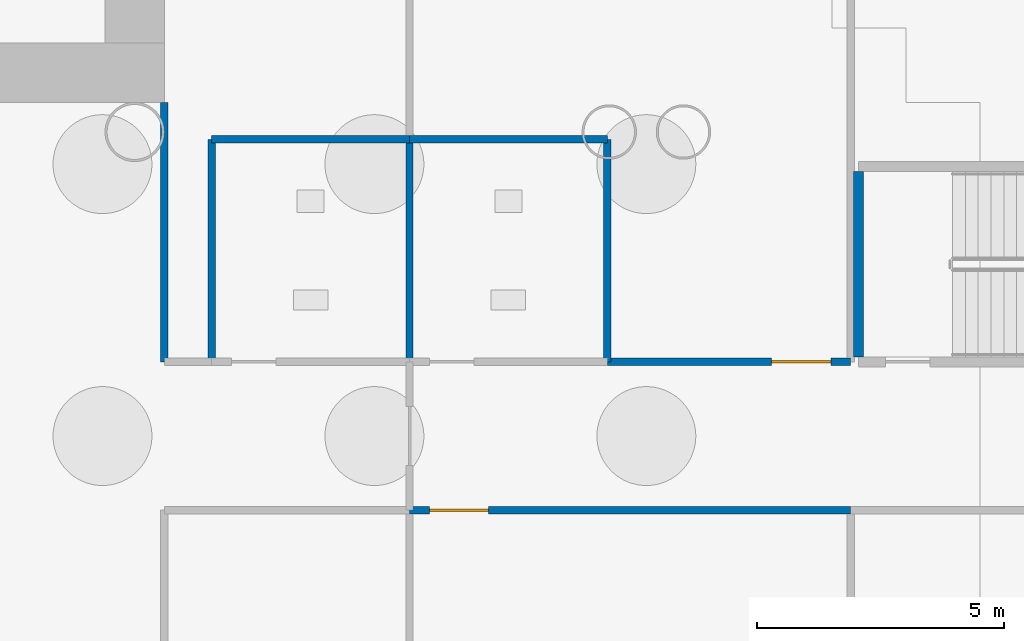
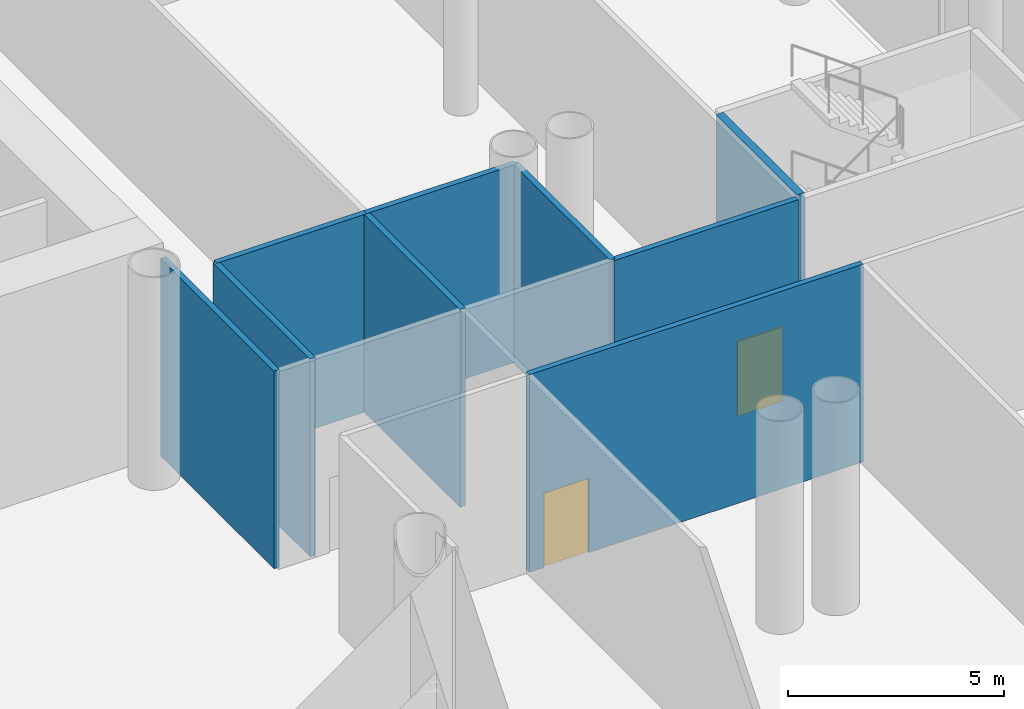
# One storey, part 33 of 75: 9 walls, 2 doors, 2 openings.
"""IFC4 building model written with IfcOpenShell, lengths in metres."""

from ifc_helpers import new_model, si_unit, direction, frame, frame_2d, origin, place, context, subcontext, project, spatial, rectangle, extrude, material, layer, layer_set, type_object, element, fill, save


model = new_model("IFC4")

# Units and contexts
model_context = context("Model", 3, precision=1e-05, world=origin(), true_north=direction((0.0, 1.0)))
body_context = subcontext(model_context, "Body", "Model", "MODEL_VIEW")
ifc_project = project(units=[si_unit("LENGTHUNIT", "METRE"), si_unit("AREAUNIT", "SQUARE_METRE"), si_unit("VOLUMEUNIT", "CUBIC_METRE"), si_unit("PLANEANGLEUNIT", "RADIAN"), si_unit("MASSUNIT", "GRAM", prefix="KILO")], contexts=[model_context])

# Site, building, storey
site_placement = place(None, origin())
site = spatial("IfcSite", under=ifc_project, at=site_placement, CompositionType="ELEMENT")
building_placement = place(site_placement, origin())
building = spatial("IfcBuilding", under=site, at=building_placement, Name="Ipe Terrace Towers", CompositionType="ELEMENT")
storey_placement = place(building_placement, origin())
storey = spatial("IfcBuildingStorey", under=building, at=storey_placement, Name="L00", CompositionType="ELEMENT", Elevation=0.0)

# Wall
ifc_material_1 = material(Name="Gypsum board partition", Category="plasterboard")
ifc_layer_1 = layer(ifc_material_1, 0.14990234375)
ifc_layer_set_1 = layer_set([ifc_layer_1], Name="Gypsum board partition 150 mm")
wall_type_1 = type_object("IfcWallType", Name="Gypsum board partition 150 mm", PredefinedType="PARTITIONING", material=ifc_layer_set_1)
wall_1_placement = place(storey_placement, frame((42.75, 1.5, 0.0), z_axis=(0.0, 0.0, 1.0), x_axis=(0.0, 1.0, 0.0)))
element("IfcWall", 1, at=wall_1_placement, inside=storey, type_object=wall_type_1, Name="Gypsum board partition T2 L00 pd-r49-w52", PredefinedType="PARTITIONING", context=body_context, shape_type="SweptSolid", body=[
    extrude(rectangle(XDim=5.25, YDim=0.14990234375, at=frame_2d((2.625, 0.0))), origin(), (0.0, 0.0, 1.0), 5.580078125),
])

# Wall, opening, door
wall_2_placement = place(storey_placement, frame((47.7099609375, -1.5, 0.0), z_axis=(0.0, 0.0, 1.0), x_axis=(1.0, 0.0, 0.0)))
wall_2 = element("IfcWall", 2, at=wall_2_placement, inside=storey, type_object=wall_type_1, Name="Gypsum board partition T2 L00 pd-r53-w64", PredefinedType="PARTITIONING", context=body_context, shape_type="SweptSolid", body=[
    extrude(rectangle(XDim=8.919921875, YDim=0.14990234375, at=frame_2d((4.4599609375, 0.0))), origin(), (0.0, 0.0, 1.0), 5.580078125),
])
opening_1_placement = place(wall_2_placement, frame((0.39990234375, 0.0, 0.0)))
opening_1 = element("IfcOpeningElement", 3, at=opening_1_placement, cuts=wall_2, Name="Opening PD-L00-r53", PredefinedType="OPENING", context=body_context, shape_type="SweptSolid", body=[
    extrude(rectangle(XDim=1.199951171875, YDim=2.10009765625, at=frame_2d((0.60009765625, 1.050048828125))), frame((0.0, 0.0849609375, 0.0), z_axis=(0.0, -1.0, 0.0), x_axis=(1.0, 0.0, 0.0)), (0.0, 0.0, 1.0), 0.169921875),
])
ifc_material_2 = material(Name="Fire-rated timber door leaf", Category="wood")
door_type = type_object("IfcDoorType", Name="Lounge door 1200 x 2100 FD30S", OperationType="NOTDEFINED", PredefinedType="DOOR", material=ifc_material_2)
door_1_placement = place(opening_1_placement, origin())
door_1 = element("IfcDoor", 4, at=door_1_placement, inside=storey, type_object=door_type, Name="Lounge door PD-L00-r53", OperationType="SINGLE_SWING_RIGHT", OverallHeight=2.10009765625, OverallWidth=1.199951171875, PredefinedType="DOOR", context=body_context, shape_type="SweptSolid", body=[
    extrude(rectangle(XDim=1.199951171875, YDim=2.10009765625, at=frame_2d((0.60009765625, 1.050048828125))), frame((0.0, 0.02490234375, 0.0), z_axis=(0.0, -1.0, 0.0), x_axis=(1.0, 0.0, 0.0)), (0.0, 0.0, 1.0), 0.050048828125),
])
fill(opening_1, door_1)

wall_3_placement = place(storey_placement, frame((56.6298828125, 1.5, 0.0), z_axis=(0.0, 0.0, 1.0), x_axis=(-1.0, 0.0, 0.0)))
wall_3 = element("IfcWall", 5, at=wall_3_placement, inside=storey, type_object=wall_type_1, Name="Gypsum board partition T2 L00 pd-r54-w67", PredefinedType="PARTITIONING", context=body_context, shape_type="SweptSolid", body=[
    extrude(rectangle(XDim=4.919921875, YDim=0.14990234375, at=frame_2d((2.4599609375, 0.0))), origin(), (0.0, 0.0, 1.0), 5.580078125),
])
opening_2_placement = place(wall_3_placement, frame((0.39990234375, 0.0, 0.0)))
opening_2 = element("IfcOpeningElement", 6, at=opening_2_placement, cuts=wall_3, Name="Opening PD-L00-r54", PredefinedType="OPENING", context=body_context, shape_type="SweptSolid", body=[
    extrude(rectangle(XDim=1.199951171875, YDim=2.10009765625, at=frame_2d((0.60009765625, 1.050048828125))), frame((0.0, 0.0849609375, 0.0), z_axis=(0.0, -1.0, 0.0), x_axis=(1.0, 0.0, 0.0)), (0.0, 0.0, 1.0), 0.169921875),
])
door_2_placement = place(opening_2_placement, origin())
door_2 = element("IfcDoor", 7, at=door_2_placement, inside=storey, type_object=door_type, Name="Lounge door PD-L00-r54", OperationType="SINGLE_SWING_RIGHT", OverallHeight=2.10009765625, OverallWidth=1.199951171875, PredefinedType="DOOR", context=body_context, shape_type="SweptSolid", body=[
    extrude(rectangle(XDim=1.199951171875, YDim=2.10009765625, at=frame_2d((0.60009765625, 1.050048828125))), frame((0.0, 0.02490234375, 0.0), z_axis=(0.0, -1.0, 0.0), x_axis=(1.0, 0.0, 0.0)), (0.0, 0.0, 1.0), 0.050048828125),
])
fill(opening_2, door_2)

# Walls
wall_4_placement = place(storey_placement, frame((47.7099609375, 6.0, 0.0), z_axis=(0.0, 0.0, 1.0), x_axis=(-1.0, 0.0, 0.0)))
element("IfcWall", 8, at=wall_4_placement, inside=storey, type_object=wall_type_1, Name="Gypsum board partition T2 L00 pd-c3-r49-w83", PredefinedType="PARTITIONING", context=body_context, shape_type="SweptSolid", body=[
    extrude(rectangle(XDim=4.0, YDim=0.14990234375, at=frame_2d((2.0, 0.0))), origin(), (0.0, 0.0, 1.0), 5.580078125),
])
for number, where, z_axis, x_axis, name in (
    (9, (43.7099609375, 6.0, 0.0), (0.0, 0.0, 1.0), (0.0, -1.0, 0.0), "Gypsum board partition T2 L00 pd-c3-r49-w84"),
    (10, (47.7099609375, 1.5, 0.0), (0.0, 0.0, 1.0), (0.0, 1.0, 0.0), "Gypsum board partition T2 L00 pd-c3-c4-w85"),
    (11, (51.7099609375, 1.5, 0.0), (0.0, 0.0, 1.0), (0.0, 1.0, 0.0), "Gypsum board partition T2 L00 pd-c4-r54-w87"),
):
    element("IfcWall", number, at=place(storey_placement, frame(where, z_axis=z_axis, x_axis=x_axis)), inside=storey, type_object=wall_type_1, Name=name, PredefinedType="PARTITIONING", context=body_context, shape_type="SweptSolid", body=[
        extrude(rectangle(XDim=4.5, YDim=0.14990234375, at=frame_2d((2.25, 0.0))), origin(), (0.0, 0.0, 1.0), 5.580078125),
    ])
wall_5_placement = place(storey_placement, frame((51.7099609375, 6.0, 0.0), z_axis=(0.0, 0.0, 1.0), x_axis=(-1.0, 0.0, 0.0)))
element("IfcWall", 12, at=wall_5_placement, inside=storey, type_object=wall_type_1, Name="Gypsum board partition T2 L00 pd-c4-r54-w88", PredefinedType="PARTITIONING", context=body_context, shape_type="SweptSolid", body=[
    extrude(rectangle(XDim=4.0, YDim=0.14990234375, at=frame_2d((2.0, 0.0))), origin(), (0.0, 0.0, 1.0), 5.580078125),
])
ifc_material_3 = material(Name="Concrete C40/50", Category="concrete")
ifc_layer_2 = layer(ifc_material_3, 0.199951171875)
ifc_layer_set_2 = layer_set([ifc_layer_2], Name="RW200 PODIUM STAIR SHAFT WALL 200 C40-50")
wall_type_2 = type_object("IfcWallType", Name="RW200 PODIUM STAIR SHAFT WALL 200 C40-50", PredefinedType="SHEAR", material=ifc_layer_set_2)
wall_6_placement = place(storey_placement, frame((56.7900390625, 1.60009765625, 0.0), z_axis=(0.0, 0.0, 1.0), x_axis=(0.0, 1.0, 0.0)))
element("IfcWall", 13, at=wall_6_placement, inside=storey, type_object=wall_type_2, Name="Stair shaft wall T2 L00 ps8-w", PredefinedType="SHEAR", context=body_context, shape_type="SweptSolid", body=[
    extrude(rectangle(XDim=3.75, YDim=0.199951171875, at=frame_2d((1.875, 0.0))), origin(), (0.0, 0.0, 1.0), 5.580078125),
])

save(model, "model.ifc")
